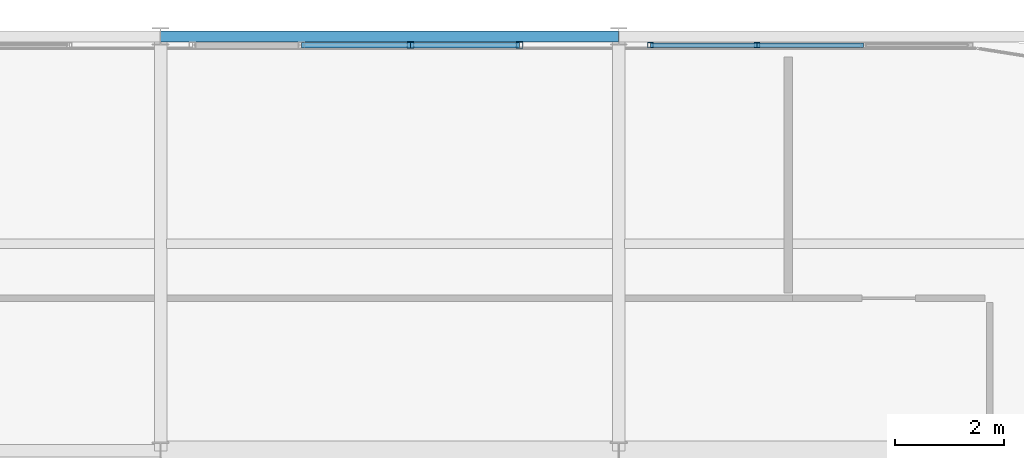
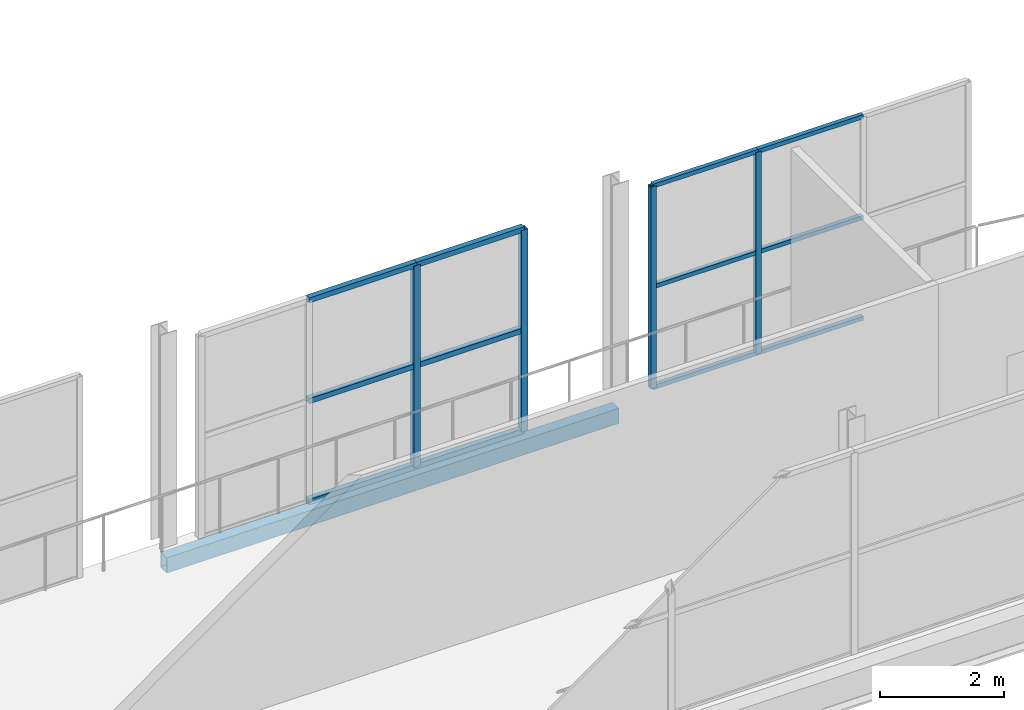
# One storey, part 107 of 151: 16 members, 1 beam, 2 elements without a shape of their own.
"""IFC4 building model written with IfcOpenShell, lengths in metres."""

from ifc_helpers import new_model, si_unit, direction, frame, origin, origin_2d, place, context, subcontext, project, spatial, hollow_rectangle, extrude, material, material_profile, profile_set, type_object, element, aggregate, save


model = new_model("IFC4")

# Units and contexts
model_context = context("Model", 3, precision=1e-05, world=origin(), true_north=direction((0.0, 1.0)))
body_context = subcontext(model_context, "Body", "Model", "MODEL_VIEW")
ifc_project = project(units=[si_unit("LENGTHUNIT", "METRE"), si_unit("AREAUNIT", "SQUARE_METRE"), si_unit("VOLUMEUNIT", "CUBIC_METRE"), si_unit("PLANEANGLEUNIT", "RADIAN"), si_unit("MASSUNIT", "GRAM", prefix="KILO")], contexts=[model_context])

# Site, building, storey
site_placement = place(None, origin())
site = spatial("IfcSite", under=ifc_project, at=site_placement, CompositionType="ELEMENT")
building_placement = place(site_placement, origin())
building = spatial("IfcBuilding", under=site, at=building_placement, Name="Zuvorla Pavilion Media Centre", CompositionType="ELEMENT")
storey_placement = place(building_placement, frame((0.0, 0.0, 13.800048828125)))
storey = spatial("IfcBuildingStorey", under=building, at=storey_placement, Name="L03", CompositionType="ELEMENT", Elevation=13.800048828125)

# Beam
ifc_material_1 = material(Name="Steel S355", Category="steel")
ifc_material_profile_1 = material_profile(ifc_material_1, hollow_rectangle(XDim=0.199951171875, YDim=0.300048828125, WallThickness=0.012451171875, at=origin_2d()), Name="RHS 300x200x12.5")
ifc_profile_set_1 = profile_set([ifc_material_profile_1], Name="Steel S355")
beam_type = type_object("IfcBeamType", Name="BM-SP-RHS300", PredefinedType="SPANDREL", material=ifc_profile_set_1)
beam_placement = place(storey_placement, frame((142.39990234375, 89.60009765625, -0.407958984375), z_axis=(1.0, 0.0, 0.0), x_axis=(0.0, 1.0, 0.0)))
element("IfcBeam", 1, at=beam_placement, inside=storey, type_object=beam_type, Name="L03 spandrel SP01 1145", PredefinedType="SPANDREL", context=body_context, shape_type="SweptSolid", body=[
    extrude(hollow_rectangle(XDim=0.199951171875, YDim=0.300048828125, WallThickness=0.012451171875, at=origin_2d()), origin(), (0.0, 0.0, 1.0), 8.400146484375),
])

# Curtain wall, members
ifc_material_2 = material(Name="Unitised anodised aluminium and solar glass curtain wall", Category="aluminium")
curtain_wall_type_1 = type_object("IfcCurtainWallType", Name="CW-SYS-19", PredefinedType="USERDEFINED", material=ifc_material_2)
curtain_wall_1_placement = place(storey_placement, origin())
curtain_wall_1 = element("IfcCurtainWall", 2, at=curtain_wall_1_placement, inside=storey, type_object=curtain_wall_type_1, Name="L03 curtain wall CW19 106", ObjectType="CURTAIN WALL", PredefinedType="USERDEFINED")
ifc_material_3 = material(Name="Anodised aluminium 6063-T6", Category="aluminium")
ifc_material_profile_2 = material_profile(ifc_material_3, hollow_rectangle(XDim=0.10009765625, YDim=0.10009765625, WallThickness=0.00439453125, at=origin_2d()), Name="ALU MULL 100x100")
ifc_profile_set_2 = profile_set([ifc_material_profile_2], Name="Anodised aluminium 6063-T6")
member_type_1 = type_object("IfcMemberType", Name="CW-MULL-100", PredefinedType="MULLION", material=ifc_profile_set_2)
member_1_placement = place(storey_placement, frame((153.334716796875, 89.43994140625, 0.0), z_axis=(0.0, 0.0, 1.0), x_axis=(1.0, 0.0, 0.0)))
member_1 = element("IfcMember", 3, at=member_1_placement, type_object=member_type_1, Name="CW19 mullion 3", PredefinedType="MULLION", context=body_context, shape_type="SweptSolid", body=[
    extrude(hollow_rectangle(XDim=0.10009765625, YDim=0.10009765625, WallThickness=0.00439453125, at=origin_2d()), origin(), (0.0, 0.0, 1.0), 3.9599609375),
])
member_2_placement = place(storey_placement, frame((151.3818359375, 89.43994140625, 0.0), z_axis=(0.0, 0.0, 1.0), x_axis=(1.0, 0.0, 0.0)))
member_2 = element("IfcMember", 4, at=member_2_placement, type_object=member_type_1, Name="CW19 mullion 4", PredefinedType="MULLION", context=body_context, shape_type="SweptSolid", body=[
    extrude(hollow_rectangle(XDim=0.10009765625, YDim=0.10009765625, WallThickness=0.00439453125, at=origin_2d()), origin(), (0.0, 0.0, 1.0), 3.9599609375),
])

curtain_wall_type_2 = type_object("IfcCurtainWallType", Name="CW-SYS-18", PredefinedType="USERDEFINED", material=ifc_material_2)
curtain_wall_2_placement = place(storey_placement, origin())
curtain_wall_2 = element("IfcCurtainWall", 5, at=curtain_wall_2_placement, inside=storey, type_object=curtain_wall_type_2, Name="L03 curtain wall CW18 107", ObjectType="CURTAIN WALL", PredefinedType="USERDEFINED")
ifc_material_profile_3 = material_profile(ifc_material_3, hollow_rectangle(XDim=0.1201171875, YDim=0.1201171875, WallThickness=0.0048828125, at=origin_2d()), Name="ALU MULL 120x120")
ifc_profile_set_3 = profile_set([ifc_material_profile_3], Name="Anodised aluminium 6063-T6")
member_type_2 = type_object("IfcMemberType", Name="CW-MULL-120", PredefinedType="MULLION", material=ifc_profile_set_3)
member_3_placement = place(storey_placement, frame((148.98291015625, 89.43994140625, 0.0), z_axis=(0.0, 0.0, 1.0), x_axis=(1.0, 0.0, 0.0)))
member_3 = element("IfcMember", 6, at=member_3_placement, type_object=member_type_2, Name="CW18 mullion 1", PredefinedType="MULLION", context=body_context, shape_type="SweptSolid", body=[
    extrude(hollow_rectangle(XDim=0.1201171875, YDim=0.1201171875, WallThickness=0.0048828125, at=origin_2d()), origin(), (0.0, 0.0, 1.0), 3.9599609375),
])
member_4_placement = place(storey_placement, frame((146.982666015625, 89.43994140625, 0.0), z_axis=(0.0, 0.0, 1.0), x_axis=(1.0, 0.0, 0.0)))
member_4 = element("IfcMember", 7, at=member_4_placement, type_object=member_type_2, Name="CW18 mullion 2", PredefinedType="MULLION", context=body_context, shape_type="SweptSolid", body=[
    extrude(hollow_rectangle(XDim=0.1201171875, YDim=0.1201171875, WallThickness=0.0048828125, at=origin_2d()), origin(), (0.0, 0.0, 1.0), 3.9599609375),
])
ifc_material_profile_4 = material_profile(ifc_material_3, hollow_rectangle(XDim=0.10009765625, YDim=0.10009765625, WallThickness=0.00439453125, at=origin_2d()), Name="ALU TRAN 100x100")
ifc_profile_set_4 = profile_set([ifc_material_profile_4], Name="Anodised aluminium 6063-T6")
member_type_3 = type_object("IfcMemberType", Name="CW-TRAN-100", PredefinedType="USERDEFINED", material=ifc_profile_set_4)
member_5_placement = place(storey_placement, frame((148.98291015625, 89.43994140625, 0.0), z_axis=(-1.0, 0.0, 0.0), x_axis=(0.0, -1.0, 0.0)))
member_5 = element("IfcMember", 8, at=member_5_placement, type_object=member_type_3, Name="CW18 transom 1.1", ObjectType="TRANSOM", PredefinedType="USERDEFINED", context=body_context, shape_type="SweptSolid", body=[
    extrude(hollow_rectangle(XDim=0.10009765625, YDim=0.10009765625, WallThickness=0.00439453125, at=origin_2d()), origin(), (0.0, 0.0, 1.0), 2.000244140625),
])
member_6_placement = place(storey_placement, frame((148.98291015625, 89.43994140625, 1.97998046875), z_axis=(-1.0, 0.0, 0.0), x_axis=(0.0, -1.0, 0.0)))
member_6 = element("IfcMember", 9, at=member_6_placement, type_object=member_type_3, Name="CW18 transom 1.2", ObjectType="TRANSOM", PredefinedType="USERDEFINED", context=body_context, shape_type="SweptSolid", body=[
    extrude(hollow_rectangle(XDim=0.10009765625, YDim=0.10009765625, WallThickness=0.00439453125, at=origin_2d()), origin(), (0.0, 0.0, 1.0), 2.000244140625),
])
member_7_placement = place(storey_placement, frame((148.98291015625, 89.43994140625, 3.9599609375), z_axis=(-1.0, 0.0, 0.0), x_axis=(0.0, -1.0, 0.0)))
member_7 = element("IfcMember", 10, at=member_7_placement, type_object=member_type_3, Name="CW18 transom 1.3", ObjectType="TRANSOM", PredefinedType="USERDEFINED", context=body_context, shape_type="SweptSolid", body=[
    extrude(hollow_rectangle(XDim=0.10009765625, YDim=0.10009765625, WallThickness=0.00439453125, at=origin_2d()), origin(), (0.0, 0.0, 1.0), 2.000244140625),
])
member_8_placement = place(storey_placement, frame((146.982666015625, 89.43994140625, 0.0), z_axis=(-1.0, 0.0, 0.0), x_axis=(0.0, -1.0, 0.0)))
member_8 = element("IfcMember", 11, at=member_8_placement, type_object=member_type_3, Name="CW18 transom 2.1", ObjectType="TRANSOM", PredefinedType="USERDEFINED", context=body_context, shape_type="SweptSolid", body=[
    extrude(hollow_rectangle(XDim=0.10009765625, YDim=0.10009765625, WallThickness=0.00439453125, at=origin_2d()), origin(), (0.0, 0.0, 1.0), 2.00048828125),
])
member_9_placement = place(storey_placement, frame((146.982666015625, 89.43994140625, 1.97998046875), z_axis=(-1.0, 0.0, 0.0), x_axis=(0.0, -1.0, 0.0)))
member_9 = element("IfcMember", 12, at=member_9_placement, type_object=member_type_3, Name="CW18 transom 2.2", ObjectType="TRANSOM", PredefinedType="USERDEFINED", context=body_context, shape_type="SweptSolid", body=[
    extrude(hollow_rectangle(XDim=0.10009765625, YDim=0.10009765625, WallThickness=0.00439453125, at=origin_2d()), origin(), (0.0, 0.0, 1.0), 2.00048828125),
])
member_10_placement = place(storey_placement, frame((146.982666015625, 89.43994140625, 3.9599609375), z_axis=(-1.0, 0.0, 0.0), x_axis=(0.0, -1.0, 0.0)))
member_10 = element("IfcMember", 13, at=member_10_placement, type_object=member_type_3, Name="CW18 transom 2.3", ObjectType="TRANSOM", PredefinedType="USERDEFINED", context=body_context, shape_type="SweptSolid", body=[
    extrude(hollow_rectangle(XDim=0.10009765625, YDim=0.10009765625, WallThickness=0.00439453125, at=origin_2d()), origin(), (0.0, 0.0, 1.0), 2.00048828125),
])
aggregate(curtain_wall_2, [member_3, member_4, member_5, member_6, member_7, member_8, member_9, member_10])

# Member
ifc_material_profile_5 = material_profile(ifc_material_3, hollow_rectangle(XDim=0.080078125, YDim=0.080078125, WallThickness=0.00390625, at=origin_2d()), Name="ALU TRAN 80x80")
ifc_profile_set_5 = profile_set([ifc_material_profile_5], Name="Anodised aluminium 6063-T6")
member_type_4 = type_object("IfcMemberType", Name="CW-TRAN-80", PredefinedType="USERDEFINED", material=ifc_profile_set_5)
member_11_placement = place(storey_placement, frame((155.287353515625, 89.43994140625, 0.0), z_axis=(-1.0, 0.0, 0.0), x_axis=(0.0, -1.0, 0.0)))
member_11 = element("IfcMember", 14, at=member_11_placement, type_object=member_type_4, Name="CW19 transom 2.1", ObjectType="TRANSOM", PredefinedType="USERDEFINED", context=body_context, shape_type="SweptSolid", body=[
    extrude(hollow_rectangle(XDim=0.080078125, YDim=0.080078125, WallThickness=0.00390625, at=origin_2d()), origin(), (0.0, 0.0, 1.0), 1.95263671875),
])

member_12_placement = place(storey_placement, frame((155.287353515625, 89.43994140625, 1.97998046875), z_axis=(-1.0, 0.0, 0.0), x_axis=(0.0, -1.0, 0.0)))
member_12 = element("IfcMember", 15, at=member_12_placement, type_object=member_type_4, Name="CW19 transom 2.2", ObjectType="TRANSOM", PredefinedType="USERDEFINED", context=body_context, shape_type="SweptSolid", body=[
    extrude(hollow_rectangle(XDim=0.080078125, YDim=0.080078125, WallThickness=0.00390625, at=origin_2d()), origin(), (0.0, 0.0, 1.0), 1.95263671875),
])

member_13_placement = place(storey_placement, frame((155.287353515625, 89.43994140625, 3.9599609375), z_axis=(-1.0, 0.0, 0.0), x_axis=(0.0, -1.0, 0.0)))
member_13 = element("IfcMember", 16, at=member_13_placement, type_object=member_type_4, Name="CW19 transom 2.3", ObjectType="TRANSOM", PredefinedType="USERDEFINED", context=body_context, shape_type="SweptSolid", body=[
    extrude(hollow_rectangle(XDim=0.080078125, YDim=0.080078125, WallThickness=0.00390625, at=origin_2d()), origin(), (0.0, 0.0, 1.0), 1.95263671875),
])

member_14_placement = place(storey_placement, frame((153.334716796875, 89.43994140625, 0.0), z_axis=(-1.0, 0.0, 0.0), x_axis=(0.0, -1.0, 0.0)))
member_14 = element("IfcMember", 17, at=member_14_placement, type_object=member_type_4, Name="CW19 transom 3.1", ObjectType="TRANSOM", PredefinedType="USERDEFINED", context=body_context, shape_type="SweptSolid", body=[
    extrude(hollow_rectangle(XDim=0.080078125, YDim=0.080078125, WallThickness=0.00390625, at=origin_2d()), origin(), (0.0, 0.0, 1.0), 1.952880859375),
])

member_15_placement = place(storey_placement, frame((153.334716796875, 89.43994140625, 1.97998046875), z_axis=(-1.0, 0.0, 0.0), x_axis=(0.0, -1.0, 0.0)))
member_15 = element("IfcMember", 18, at=member_15_placement, type_object=member_type_4, Name="CW19 transom 3.2", ObjectType="TRANSOM", PredefinedType="USERDEFINED", context=body_context, shape_type="SweptSolid", body=[
    extrude(hollow_rectangle(XDim=0.080078125, YDim=0.080078125, WallThickness=0.00390625, at=origin_2d()), origin(), (0.0, 0.0, 1.0), 1.952880859375),
])

member_16_placement = place(storey_placement, frame((153.334716796875, 89.43994140625, 3.9599609375), z_axis=(-1.0, 0.0, 0.0), x_axis=(0.0, -1.0, 0.0)))
member_16 = element("IfcMember", 19, at=member_16_placement, type_object=member_type_4, Name="CW19 transom 3.3", ObjectType="TRANSOM", PredefinedType="USERDEFINED", context=body_context, shape_type="SweptSolid", body=[
    extrude(hollow_rectangle(XDim=0.080078125, YDim=0.080078125, WallThickness=0.00390625, at=origin_2d()), origin(), (0.0, 0.0, 1.0), 1.952880859375),
])

aggregate(curtain_wall_1, [member_1, member_2, member_11, member_12, member_13, member_14, member_15, member_16])

save(model, "model.ifc")
